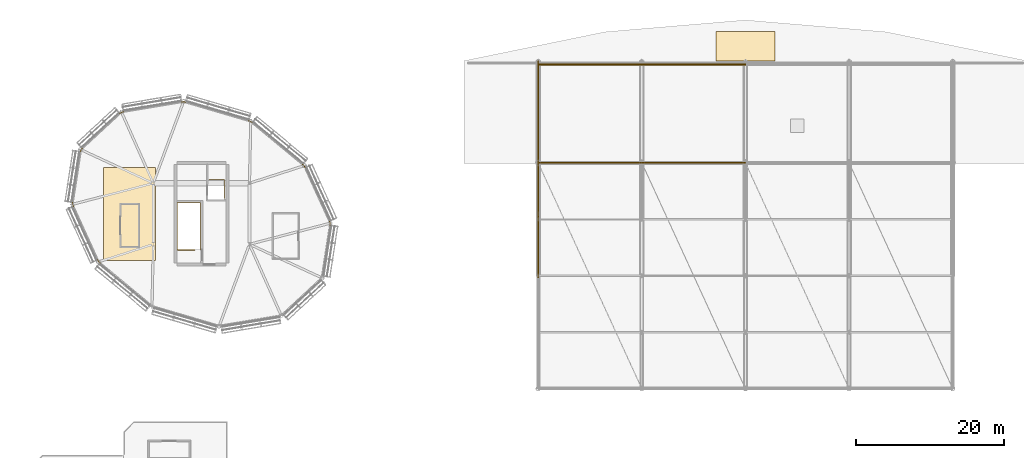
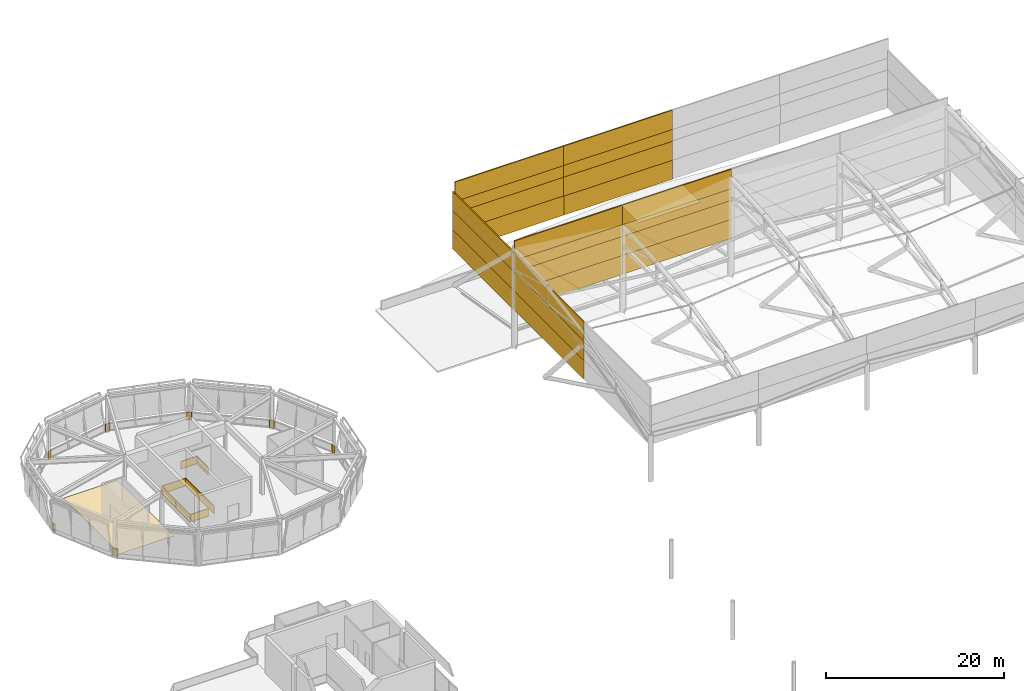
# One storey, part 111 of 113: 22 shading devices, 11 railings, 2 coverings.
"""IFC4 building model written with IfcOpenShell, lengths in metres."""

from ifc_helpers import new_model, si_unit, direction, frame, origin, origin_2d, place, context, subcontext, project, spatial, polyline, rectangle, outline, extrude, material, layer, layer_set, type_object, element, save


model = new_model("IFC4")

# Units and contexts
model_context = context("Model", 3, precision=1e-05, world=origin(), true_north=direction((0.0, 1.0)))
body_context = subcontext(model_context, "Body", "Model", "MODEL_VIEW")
ifc_project = project(units=[si_unit("LENGTHUNIT", "METRE"), si_unit("AREAUNIT", "SQUARE_METRE"), si_unit("VOLUMEUNIT", "CUBIC_METRE"), si_unit("PLANEANGLEUNIT", "RADIAN"), si_unit("MASSUNIT", "GRAM", prefix="KILO")], contexts=[model_context])

# Site, building, storey
site_placement = place(None, origin())
site = spatial("IfcSite", under=ifc_project, at=site_placement, CompositionType="ELEMENT")
building_placement = place(site_placement, origin())
building = spatial("IfcBuilding", under=site, at=building_placement, Name="Linyun Crest Stadium", CompositionType="ELEMENT")
storey_placement = place(building_placement, frame((0.0, 0.0, 26.39990234375)))
storey = spatial("IfcBuildingStorey", under=building, at=storey_placement, Name="L06", CompositionType="ELEMENT", Elevation=26.39990234375)

# Covering
ifc_material_1 = material(Name="Polymeric cushioned multi-sport athletic flooring")
ifc_layer_1 = layer(ifc_material_1, 0.01806640625)
ifc_layer_set_1 = layer_set([ifc_layer_1], Name="Polymeric cushioned multi-sport athletic flooring")
covering_type_1 = type_object("IfcCoveringType", Name="FLR01", PredefinedType="FLOORING", material=ifc_layer_set_1)
covering_1_placement = place(storey_placement, origin())
element("IfcCovering", 1, at=covering_1_placement, inside=storey, type_object=covering_type_1, Name="Athletic flooring FLR01 57", PredefinedType="FLOORING", context=body_context, shape_type="SweptSolid", body=[
    extrude(outline(polyline([(-86.699951171875, 78.300048828125), (-79.699951171875, 78.300048828125), (-79.699951171875, 90.89990234375), (-86.699951171875, 90.89990234375), (-86.699951171875, 78.300048828125)])), origin(), (0.0, 0.0, 1.0), 0.01806640625),
])

# Railings
ifc_material_2 = material(Name="Galvanized and powder-coated steel bowl safety barrier", Category="steel")
railing_type_1 = type_object("IfcRailingType", Name="GR02", PredefinedType="GUARDRAIL", material=ifc_material_2)
railing_1_placement = place(storey_placement, frame((-87.172119140625, 77.965087890625, 0.0)))
element("IfcRailing", 2, at=railing_1_placement, inside=storey, type_object=railing_type_1, Name="Slab edge balustrade GR02 320", PredefinedType="GUARDRAIL", context=body_context, shape_type="SweptSolid", body=[
    extrude(rectangle(XDim=0.06005859375, YDim=0.06005859375, at=origin_2d()), frame((0.0, 0.0, 1.090087890625), z_axis=(-0.77066950633, 0.637235052404, 0.0), x_axis=(-0.637235052404, -0.77066950633, 0.0)), (0.0, 0.0, 1.0), 0.285400390625),
    extrude(rectangle(XDim=0.030029296875, YDim=1.0, at=origin_2d()), frame((0.0, 0.0, 0.56005859375), z_axis=(-0.77066950633, 0.637235052404, 0.0), x_axis=(-0.637235052404, -0.77066950633, 0.0)), (0.0, 0.0, 1.0), 0.285400390625),
    extrude(rectangle(XDim=0.06005859375, YDim=0.06005859375, at=origin_2d()), frame((0.0, 0.0, 0.030029296875), z_axis=(-0.77066950633, 0.637235052404, 0.0), x_axis=(-0.637235052404, -0.77066950633, 0.0)), (0.0, 0.0, 1.0), 0.285400390625),
    extrude(rectangle(XDim=0.06005859375, YDim=0.06005859375, at=origin_2d()), frame((-0.219970703125, 0.181884765625, 1.090087890625), z_axis=(-0.414572445131, 0.910016311798, 0.0), x_axis=(-0.910016311798, -0.414572445131, 0.0)), (0.0, 0.0, 1.0), 0.286865234375),
    extrude(rectangle(XDim=0.030029296875, YDim=1.0, at=origin_2d()), frame((-0.219970703125, 0.181884765625, 0.56005859375), z_axis=(-0.414572445131, 0.910016311798, 0.0), x_axis=(-0.910016311798, -0.414572445131, 0.0)), (0.0, 0.0, 1.0), 0.286865234375),
    extrude(rectangle(XDim=0.06005859375, YDim=0.06005859375, at=origin_2d()), frame((-0.219970703125, 0.181884765625, 0.030029296875), z_axis=(-0.414572445131, 0.910016311798, 0.0), x_axis=(-0.910016311798, -0.414572445131, 0.0)), (0.0, 0.0, 1.0), 0.286865234375),
    extrude(rectangle(XDim=0.050048828125, YDim=0.050048828125, at=origin_2d()), origin(), (0.0, 0.0, 1.0), 1.1201171875),
    extrude(rectangle(XDim=0.050048828125, YDim=0.050048828125, at=origin_2d()), frame((-0.219970703125, 0.181884765625, 0.0)), (0.0, 0.0, 1.0), 1.1201171875),
    extrude(rectangle(XDim=0.050048828125, YDim=0.050048828125, at=origin_2d()), frame((-0.3388671875, 0.44287109375, 0.0)), (0.0, 0.0, 1.0), 1.1201171875),
])
railing_2_placement = place(storey_placement, frame((-90.800048828125, 85.6298828125, 0.0)))
element("IfcRailing", 3, at=railing_2_placement, inside=storey, type_object=railing_type_1, Name="Slab edge balustrade GR02 321", PredefinedType="GUARDRAIL", context=body_context, shape_type="SweptSolid", body=[
    extrude(rectangle(XDim=0.06005859375, YDim=0.06005859375, at=origin_2d()), frame((0.0, 0.0, 1.090087890625), z_axis=(-0.414063441435, 0.910248024698, 0.0), x_axis=(-0.910248024698, -0.414063441435, 0.0)), (0.0, 0.0, 1.0), 0.282470703125),
    extrude(rectangle(XDim=0.030029296875, YDim=1.0, at=origin_2d()), frame((0.0, 0.0, 0.56005859375), z_axis=(-0.414063441435, 0.910248024698, 0.0), x_axis=(-0.910248024698, -0.414063441435, 0.0)), (0.0, 0.0, 1.0), 0.282470703125),
    extrude(rectangle(XDim=0.06005859375, YDim=0.06005859375, at=origin_2d()), frame((0.0, 0.0, 0.030029296875), z_axis=(-0.414063441435, 0.910248024698, 0.0), x_axis=(-0.910248024698, -0.414063441435, 0.0)), (0.0, 0.0, 1.0), 0.282470703125),
    extrude(rectangle(XDim=0.06005859375, YDim=0.06005859375, at=origin_2d()), frame((-0.116943359375, 0.257080078125, 1.090087890625), z_axis=(0.1521871378, 0.988351696052, 0.0), x_axis=(-0.988351696052, 0.1521871378, 0.0)), (0.0, 0.0, 1.0), 0.2822265625),
    extrude(rectangle(XDim=0.030029296875, YDim=1.0, at=origin_2d()), frame((-0.116943359375, 0.257080078125, 0.56005859375), z_axis=(0.1521871378, 0.988351696052, 0.0), x_axis=(-0.988351696052, 0.1521871378, 0.0)), (0.0, 0.0, 1.0), 0.2822265625),
    extrude(rectangle(XDim=0.06005859375, YDim=0.06005859375, at=origin_2d()), frame((-0.116943359375, 0.257080078125, 0.030029296875), z_axis=(0.1521871378, 0.988351696052, 0.0), x_axis=(-0.988351696052, 0.1521871378, 0.0)), (0.0, 0.0, 1.0), 0.2822265625),
    extrude(rectangle(XDim=0.050048828125, YDim=0.050048828125, at=origin_2d()), origin(), (0.0, 0.0, 1.0), 1.1201171875),
    extrude(rectangle(XDim=0.050048828125, YDim=0.050048828125, at=origin_2d()), frame((-0.116943359375, 0.257080078125, 0.0)), (0.0, 0.0, 1.0), 1.1201171875),
    extrude(rectangle(XDim=0.050048828125, YDim=0.050048828125, at=origin_2d()), frame((-0.073974609375, 0.5361328125, 0.0)), (0.0, 0.0, 1.0), 1.1201171875),
])
railing_3_placement = place(storey_placement, frame((-89.821044921875, 93.00390625, 0.0)))
element("IfcRailing", 4, at=railing_3_placement, inside=storey, type_object=railing_type_1, Name="Slab edge balustrade GR02 322", PredefinedType="GUARDRAIL", context=body_context, shape_type="SweptSolid", body=[
    extrude(rectangle(XDim=0.06005859375, YDim=0.06005859375, at=origin_2d()), frame((0.0, 0.0, 1.090087890625), z_axis=(0.150349133385, 0.988632964295, 0.0), x_axis=(-0.988632964295, 0.150349133385, 0.0)), (0.0, 0.0, 1.0), 0.279296875),
    extrude(rectangle(XDim=0.030029296875, YDim=1.0, at=origin_2d()), frame((0.0, 0.0, 0.56005859375), z_axis=(0.150349133385, 0.988632964295, 0.0), x_axis=(-0.988632964295, 0.150349133385, 0.0)), (0.0, 0.0, 1.0), 0.279296875),
    extrude(rectangle(XDim=0.06005859375, YDim=0.06005859375, at=origin_2d()), frame((0.0, 0.0, 0.030029296875), z_axis=(0.150349133385, 0.988632964295, 0.0), x_axis=(-0.988632964295, 0.150349133385, 0.0)), (0.0, 0.0, 1.0), 0.279296875),
    extrude(rectangle(XDim=0.06005859375, YDim=0.06005859375, at=origin_2d()), frame((0.0419921875, 0.276123046875, 1.090087890625), z_axis=(0.733663907779, 0.67951252411, 0.0), x_axis=(-0.67951252411, 0.733663907779, 0.0)), (0.0, 0.0, 1.0), 0.279541015625),
    extrude(rectangle(XDim=0.030029296875, YDim=1.0, at=origin_2d()), frame((0.0419921875, 0.276123046875, 0.56005859375), z_axis=(0.733663907779, 0.67951252411, 0.0), x_axis=(-0.67951252411, 0.733663907779, 0.0)), (0.0, 0.0, 1.0), 0.279541015625),
    extrude(rectangle(XDim=0.06005859375, YDim=0.06005859375, at=origin_2d()), frame((0.0419921875, 0.276123046875, 0.030029296875), z_axis=(0.733663907779, 0.67951252411, 0.0), x_axis=(-0.67951252411, 0.733663907779, 0.0)), (0.0, 0.0, 1.0), 0.279541015625),
    extrude(rectangle(XDim=0.050048828125, YDim=0.050048828125, at=origin_2d()), origin(), (0.0, 0.0, 1.0), 1.1201171875),
    extrude(rectangle(XDim=0.050048828125, YDim=0.050048828125, at=origin_2d()), frame((0.0419921875, 0.276123046875, 0.0)), (0.0, 0.0, 1.0), 1.1201171875),
    extrude(rectangle(XDim=0.050048828125, YDim=0.050048828125, at=origin_2d()), frame((0.2470703125, 0.466064453125, 0.0)), (0.0, 0.0, 1.0), 1.1201171875),
])
railing_4_placement = place(storey_placement, frame((-84.492919921875, 98.16796875, 0.0)))
element("IfcRailing", 5, at=railing_4_placement, inside=storey, type_object=railing_type_1, Name="Slab edge balustrade GR02 323", PredefinedType="GUARDRAIL", context=body_context, shape_type="SweptSolid", body=[
    extrude(rectangle(XDim=0.06005859375, YDim=0.06005859375, at=origin_2d()), frame((0.0, 0.0, 1.090087890625), z_axis=(0.734572019785, 0.678530727196, 0.0), x_axis=(-0.678530727196, 0.734572019785, 0.0)), (0.0, 0.0, 1.0), 0.283203125),
    extrude(rectangle(XDim=0.030029296875, YDim=1.0, at=origin_2d()), frame((0.0, 0.0, 0.56005859375), z_axis=(0.734572019785, 0.678530727196, 0.0), x_axis=(-0.678530727196, 0.734572019785, 0.0)), (0.0, 0.0, 1.0), 0.283203125),
    extrude(rectangle(XDim=0.06005859375, YDim=0.06005859375, at=origin_2d()), frame((0.0, 0.0, 0.030029296875), z_axis=(0.734572019785, 0.678530727196, 0.0), x_axis=(-0.678530727196, 0.734572019785, 0.0)), (0.0, 0.0, 1.0), 0.283203125),
    extrude(rectangle(XDim=0.06005859375, YDim=0.06005859375, at=origin_2d()), frame((0.2080078125, 0.192138671875, 1.090087890625), z_axis=(0.986627241764, 0.1629929011, 0.0), x_axis=(-0.1629929011, 0.986627241764, 0.0)), (0.0, 0.0, 1.0), 0.281494140625),
    extrude(rectangle(XDim=0.030029296875, YDim=1.0, at=origin_2d()), frame((0.2080078125, 0.192138671875, 0.56005859375), z_axis=(0.986627241764, 0.1629929011, 0.0), x_axis=(-0.1629929011, 0.986627241764, 0.0)), (0.0, 0.0, 1.0), 0.281494140625),
    extrude(rectangle(XDim=0.06005859375, YDim=0.06005859375, at=origin_2d()), frame((0.2080078125, 0.192138671875, 0.030029296875), z_axis=(0.986627241764, 0.1629929011, 0.0), x_axis=(-0.1629929011, 0.986627241764, 0.0)), (0.0, 0.0, 1.0), 0.281494140625),
    extrude(rectangle(XDim=0.050048828125, YDim=0.050048828125, at=origin_2d()), origin(), (0.0, 0.0, 1.0), 1.1201171875),
    extrude(rectangle(XDim=0.050048828125, YDim=0.050048828125, at=origin_2d()), frame((0.2080078125, 0.192138671875, 0.0)), (0.0, 0.0, 1.0), 1.1201171875),
    extrude(rectangle(XDim=0.050048828125, YDim=0.050048828125, at=origin_2d()), frame((0.48583984375, 0.238037109375, 0.0)), (0.0, 0.0, 1.0), 1.1201171875),
])
railing_5_placement = place(storey_placement, frame((-76.179931640625, 99.717041015625, 0.0)))
element("IfcRailing", 6, at=railing_5_placement, inside=storey, type_object=railing_type_1, Name="Slab edge balustrade GR02 324", PredefinedType="GUARDRAIL", context=body_context, shape_type="SweptSolid", body=[
    extrude(rectangle(XDim=0.06005859375, YDim=0.06005859375, at=origin_2d()), frame((0.0, 0.0, 1.090087890625), z_axis=(0.985905166387, 0.167305119144, 0.0), x_axis=(-0.167305119144, 0.985905166387, 0.0)), (0.0, 0.0, 1.0), 0.2861328125),
    extrude(rectangle(XDim=0.030029296875, YDim=1.0, at=origin_2d()), frame((0.0, 0.0, 0.56005859375), z_axis=(0.985905166387, 0.167305119144, 0.0), x_axis=(-0.167305119144, 0.985905166387, 0.0)), (0.0, 0.0, 1.0), 0.2861328125),
    extrude(rectangle(XDim=0.06005859375, YDim=0.06005859375, at=origin_2d()), frame((0.0, 0.0, 0.030029296875), z_axis=(0.985905166387, 0.167305119144, 0.0), x_axis=(-0.167305119144, 0.985905166387, 0.0)), (0.0, 0.0, 1.0), 0.2861328125),
    extrude(rectangle(XDim=0.06005859375, YDim=0.06005859375, at=origin_2d()), frame((0.281982421875, 0.0478515625, 1.090087890625), z_axis=(0.959406194526, -0.282027931073, 0.0), x_axis=(0.282027931073, 0.959406194526, 0.0)), (0.0, 0.0, 1.0), 0.28662109375),
    extrude(rectangle(XDim=0.030029296875, YDim=1.0, at=origin_2d()), frame((0.281982421875, 0.0478515625, 0.56005859375), z_axis=(0.959406194526, -0.282027931073, 0.0), x_axis=(0.282027931073, 0.959406194526, 0.0)), (0.0, 0.0, 1.0), 0.28662109375),
    extrude(rectangle(XDim=0.06005859375, YDim=0.06005859375, at=origin_2d()), frame((0.281982421875, 0.0478515625, 0.030029296875), z_axis=(0.959406194526, -0.282027931073, 0.0), x_axis=(0.282027931073, 0.959406194526, 0.0)), (0.0, 0.0, 1.0), 0.28662109375),
    extrude(rectangle(XDim=0.050048828125, YDim=0.050048828125, at=origin_2d()), origin(), (0.0, 0.0, 1.0), 1.1201171875),
    extrude(rectangle(XDim=0.050048828125, YDim=0.050048828125, at=origin_2d()), frame((0.281982421875, 0.0478515625, 0.0)), (0.0, 0.0, 1.0), 1.1201171875),
    extrude(rectangle(XDim=0.050048828125, YDim=0.050048828125, at=origin_2d()), frame((0.556884765625, -0.032958984375, 0.0)), (0.0, 0.0, 1.0), 1.1201171875),
])
railing_6_placement = place(storey_placement, frame((-67.138916015625, 97.18994140625, 0.0)))
element("IfcRailing", 7, at=railing_6_placement, inside=storey, type_object=railing_type_1, Name="Slab edge balustrade GR02 325", PredefinedType="GUARDRAIL", context=body_context, shape_type="SweptSolid", body=[
    extrude(rectangle(XDim=0.06005859375, YDim=0.06005859375, at=origin_2d()), frame((0.0, 0.0, 1.090087890625), z_axis=(0.959446583049, -0.281890500506, 0.0), x_axis=(0.281890500506, 0.959446583049, 0.0)), (0.0, 0.0, 1.0), 0.28759765625),
    extrude(rectangle(XDim=0.030029296875, YDim=1.0, at=origin_2d()), frame((0.0, 0.0, 0.56005859375), z_axis=(0.959446583049, -0.281890500506, 0.0), x_axis=(0.281890500506, 0.959446583049, 0.0)), (0.0, 0.0, 1.0), 0.28759765625),
    extrude(rectangle(XDim=0.06005859375, YDim=0.06005859375, at=origin_2d()), frame((0.0, 0.0, 0.030029296875), z_axis=(0.959446583049, -0.281890500506, 0.0), x_axis=(0.281890500506, 0.959446583049, 0.0)), (0.0, 0.0, 1.0), 0.28759765625),
    extrude(rectangle(XDim=0.06005859375, YDim=0.06005859375, at=origin_2d()), frame((0.27587890625, -0.0810546875, 1.090087890625), z_axis=(0.771758653069, -0.635915545818, 0.0), x_axis=(0.635915545818, 0.771758653069, 0.0)), (0.0, 0.0, 1.0), 0.28759765625),
    extrude(rectangle(XDim=0.030029296875, YDim=1.0, at=origin_2d()), frame((0.27587890625, -0.0810546875, 0.56005859375), z_axis=(0.771758653069, -0.635915545818, 0.0), x_axis=(0.635915545818, 0.771758653069, 0.0)), (0.0, 0.0, 1.0), 0.28759765625),
    extrude(rectangle(XDim=0.06005859375, YDim=0.06005859375, at=origin_2d()), frame((0.27587890625, -0.0810546875, 0.030029296875), z_axis=(0.771758653069, -0.635915545818, 0.0), x_axis=(0.635915545818, 0.771758653069, 0.0)), (0.0, 0.0, 1.0), 0.28759765625),
    extrude(rectangle(XDim=0.050048828125, YDim=0.050048828125, at=origin_2d()), origin(), (0.0, 0.0, 1.0), 1.1201171875),
    extrude(rectangle(XDim=0.050048828125, YDim=0.050048828125, at=origin_2d()), frame((0.27587890625, -0.0810546875, 0.0)), (0.0, 0.0, 1.0), 1.1201171875),
    extrude(rectangle(XDim=0.050048828125, YDim=0.050048828125, at=origin_2d()), frame((0.497802734375, -0.263916015625, 0.0)), (0.0, 0.0, 1.0), 1.1201171875),
])
railing_7_placement = place(storey_placement, frame((-59.827880859375, 91.284912109375, 0.0)))
element("IfcRailing", 8, at=railing_7_placement, inside=storey, type_object=railing_type_1, Name="Slab edge balustrade GR02 326", PredefinedType="GUARDRAIL", context=body_context, shape_type="SweptSolid", body=[
    extrude(rectangle(XDim=0.06005859375, YDim=0.06005859375, at=origin_2d()), frame((0.0, 0.0, 1.090087890625), z_axis=(0.77066950633, -0.637235052404, 0.0), x_axis=(0.637235052404, 0.77066950633, 0.0)), (0.0, 0.0, 1.0), 0.285400390625),
    extrude(rectangle(XDim=0.030029296875, YDim=1.0, at=origin_2d()), frame((0.0, 0.0, 0.56005859375), z_axis=(0.77066950633, -0.637235052404, 0.0), x_axis=(0.637235052404, 0.77066950633, 0.0)), (0.0, 0.0, 1.0), 0.285400390625),
    extrude(rectangle(XDim=0.06005859375, YDim=0.06005859375, at=origin_2d()), frame((0.0, 0.0, 0.030029296875), z_axis=(0.77066950633, -0.637235052404, 0.0), x_axis=(0.637235052404, 0.77066950633, 0.0)), (0.0, 0.0, 1.0), 0.285400390625),
    extrude(rectangle(XDim=0.06005859375, YDim=0.06005859375, at=origin_2d()), frame((0.219970703125, -0.181884765625, 1.090087890625), z_axis=(0.414572445131, -0.910016311798, 0.0), x_axis=(0.910016311798, 0.414572445131, 0.0)), (0.0, 0.0, 1.0), 0.286865234375),
    extrude(rectangle(XDim=0.030029296875, YDim=1.0, at=origin_2d()), frame((0.219970703125, -0.181884765625, 0.56005859375), z_axis=(0.414572445131, -0.910016311798, 0.0), x_axis=(0.910016311798, 0.414572445131, 0.0)), (0.0, 0.0, 1.0), 0.286865234375),
    extrude(rectangle(XDim=0.06005859375, YDim=0.06005859375, at=origin_2d()), frame((0.219970703125, -0.181884765625, 0.030029296875), z_axis=(0.414572445131, -0.910016311798, 0.0), x_axis=(0.910016311798, 0.414572445131, 0.0)), (0.0, 0.0, 1.0), 0.286865234375),
    extrude(rectangle(XDim=0.050048828125, YDim=0.050048828125, at=origin_2d()), origin(), (0.0, 0.0, 1.0), 1.1201171875),
    extrude(rectangle(XDim=0.050048828125, YDim=0.050048828125, at=origin_2d()), frame((0.219970703125, -0.181884765625, 0.0)), (0.0, 0.0, 1.0), 1.1201171875),
    extrude(rectangle(XDim=0.050048828125, YDim=0.050048828125, at=origin_2d()), frame((0.3388671875, -0.44287109375, 0.0)), (0.0, 0.0, 1.0), 1.1201171875),
])
railing_8_placement = place(storey_placement, frame((-56.199951171875, 83.6201171875, 0.0)))
element("IfcRailing", 9, at=railing_8_placement, inside=storey, type_object=railing_type_1, Name="Slab edge balustrade GR02 327", PredefinedType="GUARDRAIL", context=body_context, shape_type="SweptSolid", body=[
    extrude(rectangle(XDim=0.06005859375, YDim=0.06005859375, at=origin_2d()), frame((0.0, 0.0, 1.090087890625), z_axis=(0.414063441435, -0.910248024698, 0.0), x_axis=(0.910248024698, 0.414063441435, 0.0)), (0.0, 0.0, 1.0), 0.282470703125),
    extrude(rectangle(XDim=0.030029296875, YDim=1.0, at=origin_2d()), frame((0.0, 0.0, 0.56005859375), z_axis=(0.414063441435, -0.910248024698, 0.0), x_axis=(0.910248024698, 0.414063441435, 0.0)), (0.0, 0.0, 1.0), 0.282470703125),
    extrude(rectangle(XDim=0.06005859375, YDim=0.06005859375, at=origin_2d()), frame((0.0, 0.0, 0.030029296875), z_axis=(0.414063441435, -0.910248024698, 0.0), x_axis=(0.910248024698, 0.414063441435, 0.0)), (0.0, 0.0, 1.0), 0.282470703125),
    extrude(rectangle(XDim=0.06005859375, YDim=0.06005859375, at=origin_2d()), frame((0.116943359375, -0.257080078125, 1.090087890625), z_axis=(-0.1521871378, -0.988351696052, 0.0), x_axis=(0.988351696052, -0.1521871378, 0.0)), (0.0, 0.0, 1.0), 0.2822265625),
    extrude(rectangle(XDim=0.030029296875, YDim=1.0, at=origin_2d()), frame((0.116943359375, -0.257080078125, 0.56005859375), z_axis=(-0.1521871378, -0.988351696052, 0.0), x_axis=(0.988351696052, -0.1521871378, 0.0)), (0.0, 0.0, 1.0), 0.2822265625),
    extrude(rectangle(XDim=0.06005859375, YDim=0.06005859375, at=origin_2d()), frame((0.116943359375, -0.257080078125, 0.030029296875), z_axis=(-0.1521871378, -0.988351696052, 0.0), x_axis=(0.988351696052, -0.1521871378, 0.0)), (0.0, 0.0, 1.0), 0.2822265625),
    extrude(rectangle(XDim=0.050048828125, YDim=0.050048828125, at=origin_2d()), origin(), (0.0, 0.0, 1.0), 1.1201171875),
    extrude(rectangle(XDim=0.050048828125, YDim=0.050048828125, at=origin_2d()), frame((0.116943359375, -0.257080078125, 0.0)), (0.0, 0.0, 1.0), 1.1201171875),
    extrude(rectangle(XDim=0.050048828125, YDim=0.050048828125, at=origin_2d()), frame((0.073974609375, -0.5361328125, 0.0)), (0.0, 0.0, 1.0), 1.1201171875),
])
railing_9_placement = place(storey_placement, frame((-70.389892578125, 86.68994140625, 0.0)))
element("IfcRailing", 10, at=railing_9_placement, inside=storey, type_object=railing_type_1, Name="Slab edge balustrade GR02 329", PredefinedType="GUARDRAIL", context=body_context, shape_type="SweptSolid", body=[
    extrude(rectangle(XDim=0.06005859375, YDim=0.06005859375, at=origin_2d()), frame((0.0, 0.0, 1.090087890625), z_axis=(0.0, 1.0, 0.0), x_axis=(-1.0, 0.0, 0.0)), (0.0, 0.0, 1.0), 2.52001953125),
    extrude(rectangle(XDim=0.030029296875, YDim=1.0, at=origin_2d()), frame((0.0, 0.0, 0.56005859375), z_axis=(0.0, 1.0, 0.0), x_axis=(-1.0, 0.0, 0.0)), (0.0, 0.0, 1.0), 2.52001953125),
    extrude(rectangle(XDim=0.06005859375, YDim=0.06005859375, at=origin_2d()), frame((0.0, 0.0, 0.030029296875), z_axis=(0.0, 1.0, 0.0), x_axis=(-1.0, 0.0, 0.0)), (0.0, 0.0, 1.0), 2.52001953125),
    extrude(rectangle(XDim=0.06005859375, YDim=0.06005859375, at=origin_2d()), frame((0.0, 2.52001953125, 1.090087890625), z_axis=(-1.0, 0.0, 0.0), x_axis=(0.0, -1.0, 0.0)), (0.0, 0.0, 1.0), 2.080078125),
    extrude(rectangle(XDim=0.030029296875, YDim=1.0, at=origin_2d()), frame((0.0, 2.52001953125, 0.56005859375), z_axis=(-1.0, 0.0, 0.0), x_axis=(0.0, -1.0, 0.0)), (0.0, 0.0, 1.0), 2.080078125),
    extrude(rectangle(XDim=0.06005859375, YDim=0.06005859375, at=origin_2d()), frame((0.0, 2.52001953125, 0.030029296875), z_axis=(-1.0, 0.0, 0.0), x_axis=(0.0, -1.0, 0.0)), (0.0, 0.0, 1.0), 2.080078125),
    extrude(rectangle(XDim=0.050048828125, YDim=0.050048828125, at=origin_2d()), origin(), (0.0, 0.0, 1.0), 1.1201171875),
    extrude(rectangle(XDim=0.050048828125, YDim=0.050048828125, at=origin_2d()), frame((0.0, 2.52001953125, 0.0)), (0.0, 0.0, 1.0), 1.1201171875),
    extrude(rectangle(XDim=0.050048828125, YDim=0.050048828125, at=origin_2d()), frame((-2.080078125, 2.52001953125, 0.0)), (0.0, 0.0, 1.0), 1.1201171875),
])
railing_10_placement = place(storey_placement, frame((-76.659912109375, 79.7099609375, 0.0)))
element("IfcRailing", 11, at=railing_10_placement, inside=storey, type_object=railing_type_1, Name="Slab edge balustrade GR02 330", PredefinedType="GUARDRAIL", context=body_context, shape_type="SweptSolid", body=[
    extrude(rectangle(XDim=0.06005859375, YDim=0.06005859375, at=origin_2d()), frame((0.0, 0.0, 1.090087890625), z_axis=(1.0, 0.0, 0.0), x_axis=(0.0, 1.0, 0.0)), (0.0, 0.0, 1.0), 2.260009765625),
    extrude(rectangle(XDim=0.030029296875, YDim=1.0, at=origin_2d()), frame((0.0, 0.0, 0.56005859375), z_axis=(1.0, 0.0, 0.0), x_axis=(0.0, 1.0, 0.0)), (0.0, 0.0, 1.0), 2.260009765625),
    extrude(rectangle(XDim=0.06005859375, YDim=0.06005859375, at=origin_2d()), frame((0.0, 0.0, 0.030029296875), z_axis=(1.0, 0.0, 0.0), x_axis=(0.0, 1.0, 0.0)), (0.0, 0.0, 1.0), 2.260009765625),
    extrude(rectangle(XDim=0.050048828125, YDim=0.050048828125, at=origin_2d()), origin(), (0.0, 0.0, 1.0), 1.1201171875),
    extrude(rectangle(XDim=0.050048828125, YDim=0.050048828125, at=origin_2d()), frame((2.260009765625, 0.0, 0.0)), (0.0, 0.0, 1.0), 1.1201171875),
])
ifc_material_3 = material(Name="Painted steel stairwell safety guard", Category="steel")
railing_type_2 = type_object("IfcRailingType", Name="GR03", PredefinedType="GUARDRAIL", material=ifc_material_3)
railing_11_placement = place(storey_placement, frame((-76.77001953125, 79.75, 0.0)))
element("IfcRailing", 12, at=railing_11_placement, inside=storey, type_object=railing_type_2, Name="STR-11-L05 top well guard", PredefinedType="GUARDRAIL", context=body_context, shape_type="SweptSolid", body=[
    extrude(rectangle(XDim=0.06005859375, YDim=0.06005859375, at=origin_2d()), frame((0.0, 0.0, 1.090087890625), z_axis=(0.0, 1.0, 0.0), x_axis=(-1.0, 0.0, 0.0)), (0.0, 0.0, 1.0), 6.3701171875),
    extrude(rectangle(XDim=0.030029296875, YDim=1.0, at=origin_2d()), frame((0.0, 0.0, 0.56005859375), z_axis=(0.0, 1.0, 0.0), x_axis=(-1.0, 0.0, 0.0)), (0.0, 0.0, 1.0), 6.3701171875),
    extrude(rectangle(XDim=0.06005859375, YDim=0.06005859375, at=origin_2d()), frame((0.0, 0.0, 0.030029296875), z_axis=(0.0, 1.0, 0.0), x_axis=(-1.0, 0.0, 0.0)), (0.0, 0.0, 1.0), 6.3701171875),
    extrude(rectangle(XDim=0.06005859375, YDim=0.06005859375, at=origin_2d()), frame((0.0, 6.3701171875, 1.090087890625), z_axis=(1.0, 0.0, 0.0), x_axis=(0.0, 1.0, 0.0)), (0.0, 0.0, 1.0), 3.14013671875),
    extrude(rectangle(XDim=0.030029296875, YDim=1.0, at=origin_2d()), frame((0.0, 6.3701171875, 0.56005859375), z_axis=(1.0, 0.0, 0.0), x_axis=(0.0, 1.0, 0.0)), (0.0, 0.0, 1.0), 3.14013671875),
    extrude(rectangle(XDim=0.06005859375, YDim=0.06005859375, at=origin_2d()), frame((0.0, 6.3701171875, 0.030029296875), z_axis=(1.0, 0.0, 0.0), x_axis=(0.0, 1.0, 0.0)), (0.0, 0.0, 1.0), 3.14013671875),
    extrude(rectangle(XDim=0.06005859375, YDim=0.06005859375, at=origin_2d()), frame((3.14013671875, 6.3701171875, 1.090087890625), z_axis=(0.0, -1.0, 0.0), x_axis=(1.0, 0.0, 0.0)), (0.0, 0.0, 1.0), 6.3701171875),
    extrude(rectangle(XDim=0.030029296875, YDim=1.0, at=origin_2d()), frame((3.14013671875, 6.3701171875, 0.56005859375), z_axis=(0.0, -1.0, 0.0), x_axis=(1.0, 0.0, 0.0)), (0.0, 0.0, 1.0), 6.3701171875),
    extrude(rectangle(XDim=0.06005859375, YDim=0.06005859375, at=origin_2d()), frame((3.14013671875, 6.3701171875, 0.030029296875), z_axis=(0.0, -1.0, 0.0), x_axis=(1.0, 0.0, 0.0)), (0.0, 0.0, 1.0), 6.3701171875),
    extrude(rectangle(XDim=0.050048828125, YDim=0.050048828125, at=origin_2d()), origin(), (0.0, 0.0, 1.0), 1.1201171875),
    extrude(rectangle(XDim=0.050048828125, YDim=0.050048828125, at=origin_2d()), frame((0.0, 1.592529296875, 0.0)), (0.0, 0.0, 1.0), 1.1201171875),
    extrude(rectangle(XDim=0.050048828125, YDim=0.050048828125, at=origin_2d()), frame((0.0, 3.18505859375, 0.0)), (0.0, 0.0, 1.0), 1.1201171875),
    extrude(rectangle(XDim=0.050048828125, YDim=0.050048828125, at=origin_2d()), frame((0.0, 4.777587890625, 0.0)), (0.0, 0.0, 1.0), 1.1201171875),
    extrude(rectangle(XDim=0.050048828125, YDim=0.050048828125, at=origin_2d()), frame((0.0, 6.3701171875, 0.0)), (0.0, 0.0, 1.0), 1.1201171875),
    extrude(rectangle(XDim=0.050048828125, YDim=0.050048828125, at=origin_2d()), frame((1.570068359375, 6.3701171875, 0.0)), (0.0, 0.0, 1.0), 1.1201171875),
    extrude(rectangle(XDim=0.050048828125, YDim=0.050048828125, at=origin_2d()), frame((3.14013671875, 6.3701171875, 0.0)), (0.0, 0.0, 1.0), 1.1201171875),
    extrude(rectangle(XDim=0.050048828125, YDim=0.050048828125, at=origin_2d()), frame((3.14013671875, 4.777587890625, 0.0)), (0.0, 0.0, 1.0), 1.1201171875),
    extrude(rectangle(XDim=0.050048828125, YDim=0.050048828125, at=origin_2d()), frame((3.14013671875, 3.18505859375, 0.0)), (0.0, 0.0, 1.0), 1.1201171875),
    extrude(rectangle(XDim=0.050048828125, YDim=0.050048828125, at=origin_2d()), frame((3.14013671875, 1.592529296875, 0.0)), (0.0, 0.0, 1.0), 1.1201171875),
    extrude(rectangle(XDim=0.050048828125, YDim=0.050048828125, at=origin_2d()), frame((3.14013671875, 0.0, 0.0)), (0.0, 0.0, 1.0), 1.1201171875),
])

# Covering
ifc_material_4 = material(Name="Verdigris standing-seam titanium-zinc roof membrane")
ifc_layer_2 = layer(ifc_material_4, 0.034912109375)
ifc_layer_set_2 = layer_set([ifc_layer_2], Name="Verdigris standing-seam titanium-zinc roof membrane")
covering_type_2 = type_object("IfcCoveringType", Name="RFG01", PredefinedType="ROOFING", material=ifc_layer_set_2)
covering_2_placement = place(storey_placement, origin())
element("IfcCovering", 13, at=covering_2_placement, inside=storey, type_object=covering_type_2, Name="Roof membrane covering RFG01 L06 76", PredefinedType="ROOFING", context=body_context, shape_type="SweptSolid", body=[
    extrude(outline(polyline([(-4.0, 105.22900390625), (4.0, 105.22900390625), (4.0, 109.22900390625), (-4.0, 109.22900390625), (-4.0, 105.22900390625)])), origin(), (0.0, 0.0, 1.0), 0.03515625),
])

# Shading devices
ifc_material_5 = material(Name="Verdigris painted aluminium sun-louvre screen", Category="aluminium")
ifc_layer_3 = layer(ifc_material_5, 0.080078125)
ifc_layer_set_3 = layer_set([ifc_layer_3], Name="Verdigris painted aluminium sun-louvre screen")
shading_device_type_1 = type_object("IfcShadingDeviceType", Name="SD01", PredefinedType="JALOUSIE", material=ifc_layer_set_3)
for number, where, z_axis, x_axis, name in (
    (14, (-21.0, 104.800048828125, 4.875244140625), (0.0, 0.0, 1.0), (1.0, 0.0, 0.0), "North canopy louvre screen SD01 179"),
    (15, (-21.0, 104.800048828125, 7.47509765625), (0.0, 0.0, 1.0), (1.0, 0.0, 0.0), "North canopy louvre screen SD01 182"),
    (16, (-21.0, 104.800048828125, 10.0751953125), (0.0, 0.0, 1.0), (1.0, 0.0, 0.0), "North canopy louvre screen SD01 185"),
    (17, (-21.0, 104.800048828125, 11.675048828125), (0.0, 0.0, 1.0), (1.0, 0.0, 0.0), "North canopy louvre screen SD01 187"),
    (18, (-7.0, 104.800048828125, 4.875244140625), (0.0, 0.0, 1.0), (1.0, 0.0, 0.0), "North canopy louvre screen SD01 189"),
    (19, (-7.0, 104.800048828125, 7.47509765625), (0.0, 0.0, 1.0), (1.0, 0.0, 0.0), "North canopy louvre screen SD01 192"),
    (20, (-7.0, 104.800048828125, 10.0751953125), (0.0, 0.0, 1.0), (1.0, 0.0, 0.0), "North canopy louvre screen SD01 195"),
    (21, (-7.0, 104.800048828125, 11.675048828125), (0.0, 0.0, 1.0), (1.0, 0.0, 0.0), "North canopy louvre screen SD01 197"),
):
    element("IfcShadingDevice", number, at=place(storey_placement, frame(where, z_axis=z_axis, x_axis=x_axis)), inside=storey, type_object=shading_device_type_1, Name=name, PredefinedType="JALOUSIE", context=body_context, shape_type="SweptSolid", body=[
        extrude(rectangle(XDim=14.10009765625, YDim=0.159912109375, at=origin_2d()), origin(), (0.0, 0.0, 1.0), 2.64990234375),
    ])
ifc_material_6 = material(Name="Glazed ceramic faience brise-soleil screen")
ifc_layer_4 = layer(ifc_material_6, 0.10009765625)
ifc_layer_set_4 = layer_set([ifc_layer_4], Name="Glazed ceramic faience brise-soleil screen")
shading_device_type_2 = type_object("IfcShadingDeviceType", Name="SD02", PredefinedType="SHUTTER", material=ifc_layer_set_4)
for number, where, z_axis, x_axis, name in (
    (22, (-21.0, 91.5, 4.875244140625), (0.0, 0.0, 1.0), (1.0, 0.0, 0.0), "North canopy louvre screen SD02 180"),
    (23, (-21.0, 91.5, 7.47509765625), (0.0, 0.0, 1.0), (1.0, 0.0, 0.0), "North canopy louvre screen SD02 183"),
    (24, (-21.0, 91.5, 10.0751953125), (0.0, 0.0, 1.0), (1.0, 0.0, 0.0), "North canopy louvre screen SD02 186"),
    (25, (-21.0, 91.5, 11.675048828125), (0.0, 0.0, 1.0), (1.0, 0.0, 0.0), "North canopy louvre screen SD02 188"),
    (26, (-7.0, 91.5, 4.875244140625), (0.0, 0.0, 1.0), (1.0, 0.0, 0.0), "North canopy louvre screen SD02 190"),
    (27, (-7.0, 91.5, 7.47509765625), (0.0, 0.0, 1.0), (1.0, 0.0, 0.0), "North canopy louvre screen SD02 193"),
    (28, (-7.0, 91.5, 10.0751953125), (0.0, 0.0, 1.0), (1.0, 0.0, 0.0), "North canopy louvre screen SD02 196"),
    (29, (-7.0, 91.5, 11.675048828125), (0.0, 0.0, 1.0), (1.0, 0.0, 0.0), "North canopy louvre screen SD02 198"),
):
    element("IfcShadingDevice", number, at=place(storey_placement, frame(where, z_axis=z_axis, x_axis=x_axis)), inside=storey, type_object=shading_device_type_2, Name=name, PredefinedType="SHUTTER", context=body_context, shape_type="SweptSolid", body=[
        extrude(rectangle(XDim=14.10009765625, YDim=0.159912109375, at=origin_2d()), origin(), (0.0, 0.0, 1.0), 2.64990234375),
    ])
for number, where, z_axis, x_axis, name in (
    (30, (-28.0, 83.75, 4.875244140625), (0.0, 0.0, 1.0), (1.0, 0.0, 0.0), "North gable louvre screen SD02 222"),
    (31, (-28.0, 83.75, 7.47509765625), (0.0, 0.0, 1.0), (1.0, 0.0, 0.0), "North gable louvre screen SD02 223"),
    (32, (-28.0, 83.75, 10.0751953125), (0.0, 0.0, 1.0), (1.0, 0.0, 0.0), "North gable louvre screen SD02 224"),
):
    element("IfcShadingDevice", number, at=place(storey_placement, frame(where, z_axis=z_axis, x_axis=x_axis)), inside=storey, type_object=shading_device_type_2, Name=name, PredefinedType="SHUTTER", context=body_context, shape_type="SweptSolid", body=[
        extrude(rectangle(XDim=0.159912109375, YDim=15.60009765625, at=origin_2d()), origin(), (0.0, 0.0, 1.0), 2.64990234375),
    ])
for number, where, z_axis, x_axis, name in (
    (33, (-28.0, 98.375, 4.875244140625), (0.0, 0.0, 1.0), (1.0, 0.0, 0.0), "North gable louvre screen SD02 225"),
    (34, (-28.0, 98.375, 7.47509765625), (0.0, 0.0, 1.0), (1.0, 0.0, 0.0), "North gable louvre screen SD02 226"),
    (35, (-28.0, 98.375, 10.0751953125), (0.0, 0.0, 1.0), (1.0, 0.0, 0.0), "North gable louvre screen SD02 227"),
):
    element("IfcShadingDevice", number, at=place(storey_placement, frame(where, z_axis=z_axis, x_axis=x_axis)), inside=storey, type_object=shading_device_type_2, Name=name, PredefinedType="SHUTTER", context=body_context, shape_type="SweptSolid", body=[
        extrude(rectangle(XDim=0.159912109375, YDim=13.85009765625, at=origin_2d()), origin(), (0.0, 0.0, 1.0), 2.64990234375),
    ])

save(model, "model.ifc")
